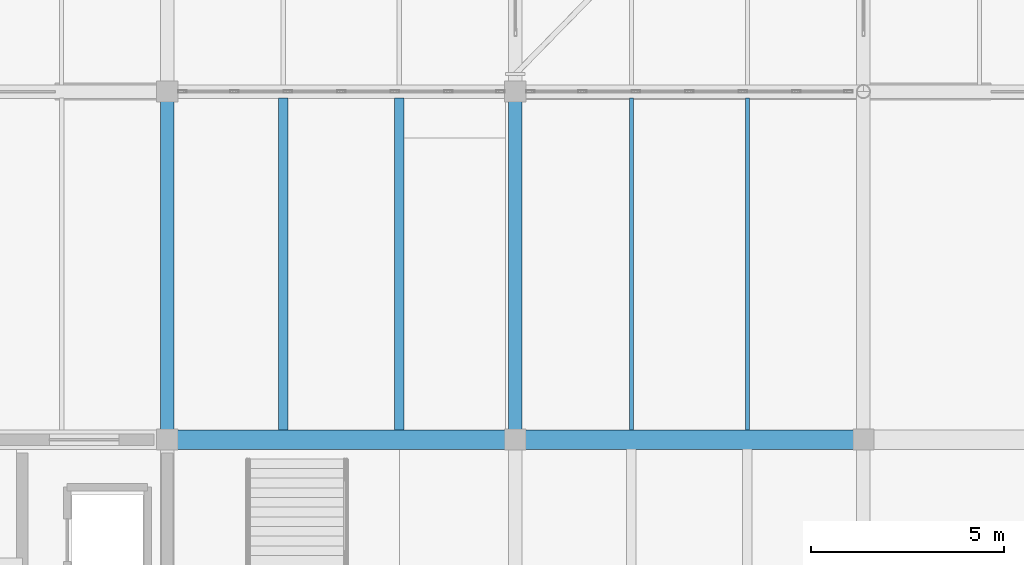
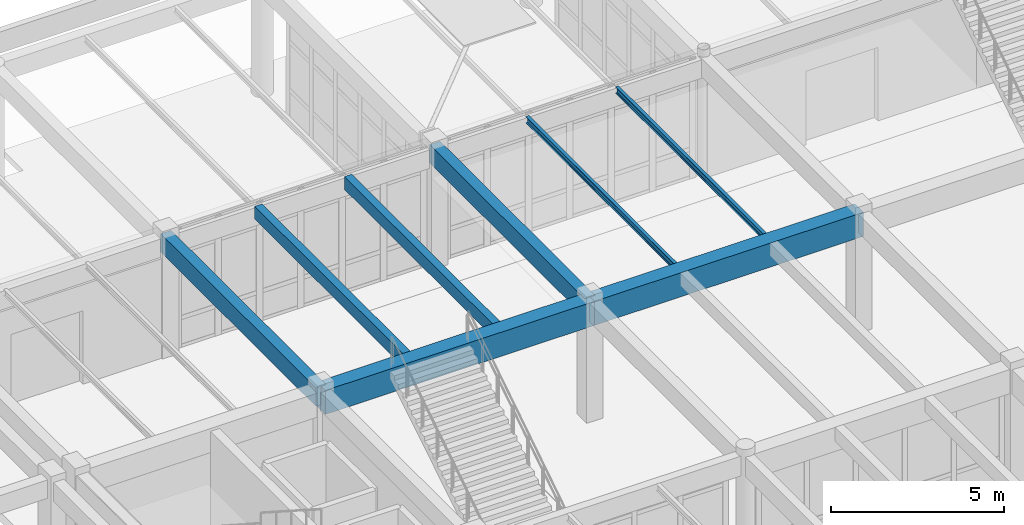
# One storey, part 91 of 186: 8 beams.
"""IFC4 building model written with IfcOpenShell, lengths in metres."""

from ifc_helpers import new_model, si_unit, direction, frame, origin, origin_2d, place, context, subcontext, project, spatial, rectangle, i_section, extrude, material, material_profile, profile_set, type_object, element, save


model = new_model("IFC4")

# Units and contexts
model_context = context("Model", 3, precision=1e-05, world=origin(), true_north=direction((0.0, 1.0)))
body_context = subcontext(model_context, "Body", "Model", "MODEL_VIEW")
ifc_project = project(units=[si_unit("LENGTHUNIT", "METRE"), si_unit("AREAUNIT", "SQUARE_METRE"), si_unit("VOLUMEUNIT", "CUBIC_METRE"), si_unit("PLANEANGLEUNIT", "RADIAN"), si_unit("MASSUNIT", "GRAM", prefix="KILO")], contexts=[model_context])

# Site, building, storey
site_placement = place(None, origin())
site = spatial("IfcSite", under=ifc_project, at=site_placement, CompositionType="ELEMENT")
building_placement = place(site_placement, origin())
building = spatial("IfcBuilding", under=site, at=building_placement, Name="Ornek Quay Market", CompositionType="ELEMENT")
storey_placement = place(building_placement, origin())
storey = spatial("IfcBuildingStorey", under=building, at=storey_placement, Name="L00", CompositionType="ELEMENT", Elevation=0.0)

# Beams
ifc_material_1 = material(Name="Concrete C35/45", Category="concrete")
ifc_material_profile_1 = material_profile(ifc_material_1, rectangle(XDim=0.35009765625, YDim=0.64990234375, at=origin_2d()), Name="RC 350x650", Category="concrete")
ifc_profile_set_1 = profile_set([ifc_material_profile_1], Name="Concrete C35/45")
beam_type_1 = type_object("IfcBeamType", Name="BM-CONC-350x650", PredefinedType="BEAM", material=ifc_profile_set_1)
for number, where, z_axis, x_axis, name in (
    (1, (63.0, 101.0, 3.9150390625), (0.0, 1.0, 0.0), (-1.0, 0.0, 0.0), "Primary beam B-CN1-100"),
    (2, (72.0, 101.0, 3.9150390625), (0.0, 1.0, 0.0), (-1.0, 0.0, 0.0), "Primary beam B-CN1-102"),
):
    element("IfcBeam", number, at=place(storey_placement, frame(where, z_axis=z_axis, x_axis=x_axis)), inside=storey, type_object=beam_type_1, Name=name, PredefinedType="BEAM", context=body_context, shape_type="SweptSolid", body=[
        extrude(rectangle(XDim=0.35009765625, YDim=0.64990234375, at=origin_2d()), origin(), (0.0, 0.0, 1.0), 9.0),
    ])
ifc_material_2 = material(Name="Concrete C40/50", Category="concrete")
ifc_material_profile_2 = material_profile(ifc_material_2, rectangle(XDim=0.5, YDim=0.85009765625, at=origin_2d()), Name="RC 500x850", Category="concrete")
ifc_profile_set_2 = profile_set([ifc_material_profile_2], Name="Concrete C40/50")
beam_type_2 = type_object("IfcBeamType", Name="BM-GAL-500x850", PredefinedType="BEAM", material=ifc_profile_set_2)
for number, where, z_axis, x_axis, name in (
    (3, (63.0, 101.0, 3.81494140625), (1.0, 0.0, 0.0), (0.0, 1.0, 0.0), "Primary beam B-GL1-059"),
    (4, (72.0, 101.0, 3.81494140625), (1.0, 0.0, 0.0), (0.0, 1.0, 0.0), "Primary beam B-GL1-060"),
):
    element("IfcBeam", number, at=place(storey_placement, frame(where, z_axis=z_axis, x_axis=x_axis)), inside=storey, type_object=beam_type_2, Name=name, PredefinedType="BEAM", context=body_context, shape_type="SweptSolid", body=[
        extrude(rectangle(XDim=0.5, YDim=0.85009765625, at=origin_2d()), origin(), (0.0, 0.0, 1.0), 9.0),
    ])
ifc_material_profile_3 = material_profile(ifc_material_1, rectangle(XDim=0.25, YDim=0.449951171875, at=origin_2d()), Name="RC 250x450", Category="concrete")
ifc_profile_set_3 = profile_set([ifc_material_profile_3], Name="Concrete C35/45")
beam_type_3 = type_object("IfcBeamType", Name="BM-SEC-250x450", PredefinedType="JOIST", material=ifc_profile_set_3)
for number, where, z_axis, x_axis, name in (
    (5, (66.0, 101.241943359375, 4.014892578125), (0.0, 1.0, 0.0), (-1.0, 0.0, 0.0), "Secondary joist B-SC3-001"),
    (6, (69.0, 101.241943359375, 4.014892578125), (0.0, 1.0, 0.0), (-1.0, 0.0, 0.0), "Secondary joist B-SC3-002"),
):
    element("IfcBeam", number, at=place(storey_placement, frame(where, z_axis=z_axis, x_axis=x_axis)), inside=storey, type_object=beam_type_3, Name=name, PredefinedType="JOIST", context=body_context, shape_type="SweptSolid", body=[
        extrude(rectangle(XDim=0.25, YDim=0.449951171875, at=origin_2d()), origin(), (0.0, 0.0, 1.0), 8.591064453125),
    ])
ifc_material_3 = material(Name="Steel S355", Category="steel")
ifc_material_profile_4 = material_profile(ifc_material_3, i_section(OverallWidth=0.110107421875, OverallDepth=0.219970703125, WebThickness=0.005859375, FlangeThickness=0.00927734375, FilletRadius=0.011962890625, at=origin_2d()), Name="IPE 220", Category="steel")
ifc_profile_set_4 = profile_set([ifc_material_profile_4], Name="Steel S355")
beam_type_4 = type_object("IfcBeamType", Name="BM-STL-IPE220", PredefinedType="JOIST", material=ifc_profile_set_4)
for number, where, z_axis, x_axis, name in (
    (7, (75.0, 101.241943359375, 4.1298828125), (0.0, 1.0, 0.0), (-1.0, 0.0, 0.0), "Secondary joist SB-03-016"),
    (8, (78.0, 101.241943359375, 4.1298828125), (0.0, 1.0, 0.0), (-1.0, 0.0, 0.0), "Secondary joist SB-03-017"),
):
    element("IfcBeam", number, at=place(storey_placement, frame(where, z_axis=z_axis, x_axis=x_axis)), inside=storey, type_object=beam_type_4, Name=name, PredefinedType="JOIST", context=body_context, shape_type="SweptSolid", body=[
        extrude(i_section(OverallWidth=0.110107421875, OverallDepth=0.219970703125, WebThickness=0.005859375, FlangeThickness=0.00927734375, FilletRadius=0.011962890625, at=origin_2d()), origin(), (0.0, 0.0, 1.0), 8.591064453125),
    ])

save(model, "model.ifc")
